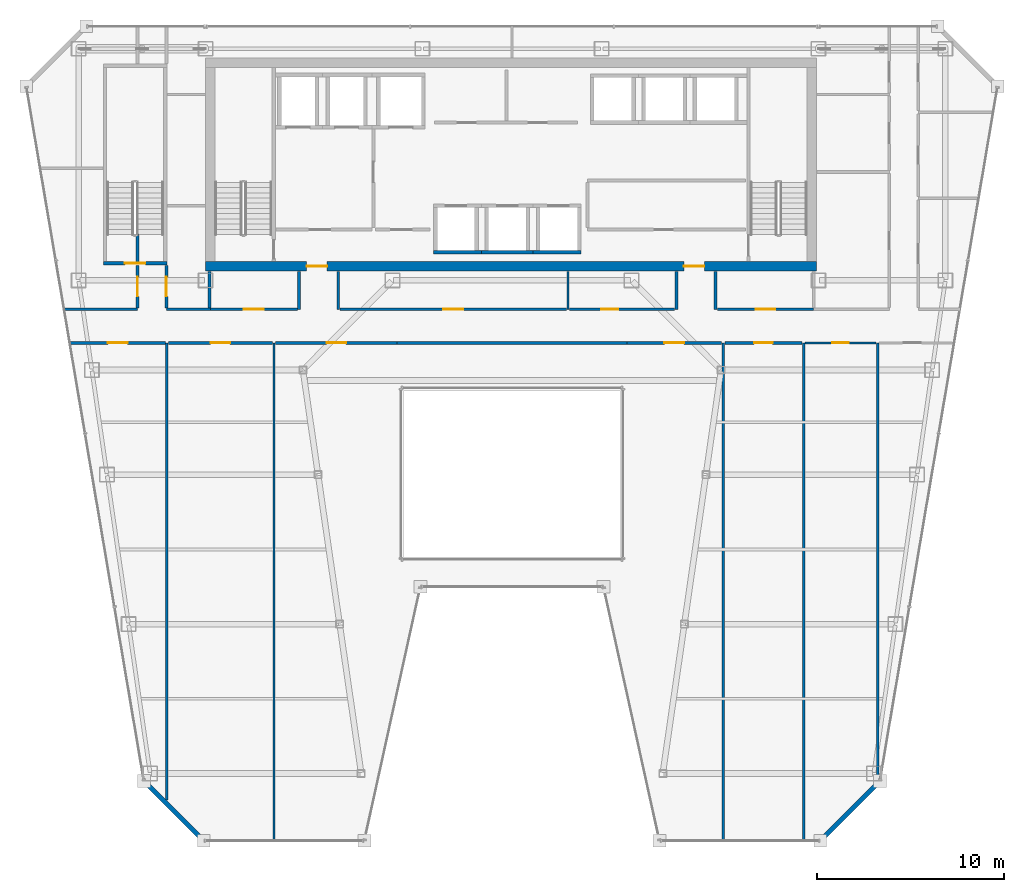
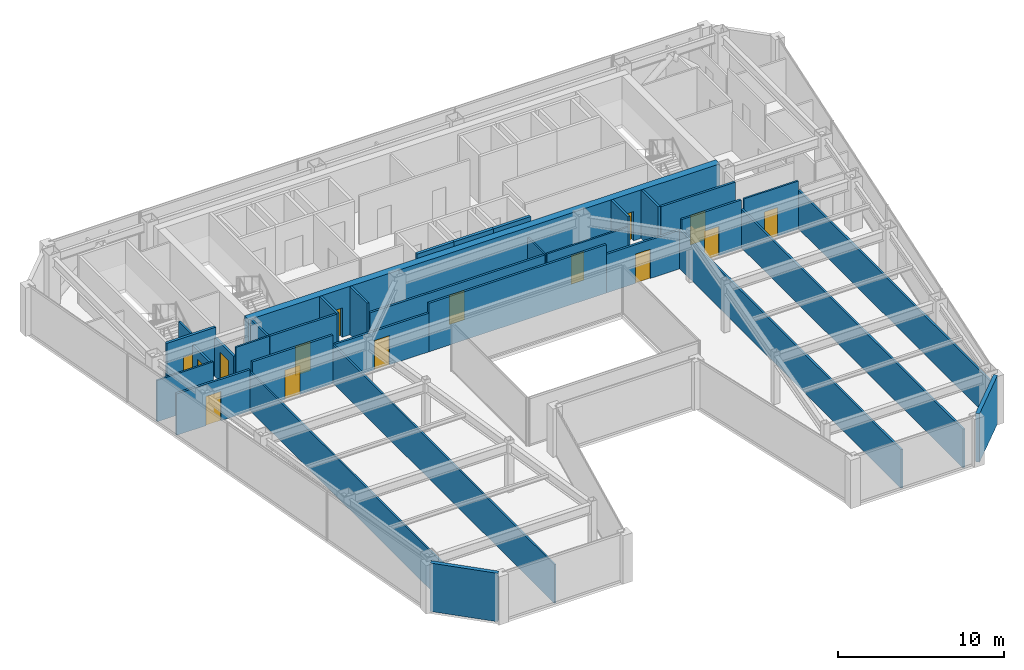
# One storey, part 30 of 36: 34 walls, 15 doors, 15 openings.
"""IFC4 building model written with IfcOpenShell, lengths in metres."""

from ifc_helpers import new_model, si_unit, direction, frame, frame_2d, origin, place, context, subcontext, project, spatial, rectangle, extrude, material, layer, layer_set, type_object, element, fill, save


model = new_model("IFC4")

# Units and contexts
model_context = context("Model", 3, precision=1e-05, world=origin(), true_north=direction((0.0, 1.0)))
body_context = subcontext(model_context, "Body", "Model", "MODEL_VIEW")
ifc_project = project(units=[si_unit("LENGTHUNIT", "METRE"), si_unit("AREAUNIT", "SQUARE_METRE"), si_unit("VOLUMEUNIT", "CUBIC_METRE"), si_unit("PLANEANGLEUNIT", "RADIAN"), si_unit("MASSUNIT", "GRAM", prefix="KILO")], contexts=[model_context])

# Site, building, storey
site_placement = place(None, origin())
site = spatial("IfcSite", under=ifc_project, at=site_placement, CompositionType="ELEMENT")
building_placement = place(site_placement, origin())
building = spatial("IfcBuilding", under=site, at=building_placement, Name="Saevonmaru Cultural Tower", CompositionType="ELEMENT")
storey_placement = place(building_placement, frame((0.0, 0.0, 209.39990234375)))
storey = spatial("IfcBuildingStorey", under=building, at=storey_placement, Name="L48", CompositionType="ELEMENT", Elevation=209.39990234375)

# Wall, openings, doors
ifc_material_1 = material(Name="Concrete C60/75", Category="concrete")
ifc_layer_1 = layer(ifc_material_1, 0.5, Name="Concrete C60/75")
ifc_layer_set_1 = layer_set([ifc_layer_1], Name="Concrete C60/75")
wall_type_1 = type_object("IfcWallType", Name="WL-CORE-500", PredefinedType="SHEAR", material=ifc_layer_set_1)
wall_1_placement = place(storey_placement, frame((13.60009765625, 43.14990234375, 0.0), z_axis=(0.0, 0.0, 1.0), x_axis=(1.0, 0.0, 0.0)))
wall_1 = element("IfcWall", 1, at=wall_1_placement, inside=storey, type_object=wall_type_1, Name="L48 Tower RC core shear wall S", PredefinedType="SHEAR", context=body_context, shape_type="SweptSolid", body=[
    extrude(rectangle(XDim=32.699951171875, YDim=0.5, at=frame_2d((16.35009765625, 0.0))), origin(), (0.0, 0.0, 1.0), 3.550048828125),
])
opening_1_placement = place(wall_1_placement, frame((5.39990234375, 0.0, 0.0)))
opening_1 = element("IfcOpeningElement", 2, at=opening_1_placement, cuts=wall_1, Name="Opening FD-2", PredefinedType="OPENING", context=body_context, shape_type="SweptSolid", body=[
    extrude(rectangle(XDim=1.10009765625, YDim=2.14990234375, at=frame_2d((0.550048828125, 1.074951171875))), frame((0.0, 0.260009765625, 0.0), z_axis=(0.0, -1.0, 0.0), x_axis=(1.0, 0.0, 0.0)), (0.0, 0.0, 1.0), 0.52001953125),
])
opening_2_placement = place(wall_1_placement, frame((25.60009765625, 0.0, 0.0)))
opening_2 = element("IfcOpeningElement", 3, at=opening_2_placement, cuts=wall_1, Name="Opening FD-2", PredefinedType="OPENING", context=body_context, shape_type="SweptSolid", body=[
    extrude(rectangle(XDim=1.10009765625, YDim=2.14990234375, at=frame_2d((0.550048828125, 1.074951171875))), frame((0.0, 0.260009765625, 0.0), z_axis=(0.0, -1.0, 0.0), x_axis=(1.0, 0.0, 0.0)), (0.0, 0.0, 1.0), 0.52001953125),
])
ifc_material_2 = material(Name="Satin Bronze Anodised Aluminium", Category="aluminium")
door_type_1 = type_object("IfcDoorType", Name="DR-FD60-1100", OperationType="SINGLE_SWING_LEFT", PredefinedType="DOOR", material=ifc_material_2)
door_1_placement = place(opening_1_placement, origin())
door_1 = element("IfcDoor", 4, at=door_1_placement, inside=storey, type_object=door_type_1, Name="L48 Core West Lobby Fire Door", OperationType="SINGLE_SWING_LEFT", OverallHeight=2.14990234375, OverallWidth=1.10009765625, PredefinedType="DOOR", context=body_context, shape_type="SweptSolid", body=[
    extrude(rectangle(XDim=1.10009765625, YDim=2.14990234375, at=frame_2d((0.550048828125, 1.074951171875))), frame((0.0, 0.02490234375, 0.0), z_axis=(0.0, -1.0, 0.0), x_axis=(1.0, 0.0, 0.0)), (0.0, 0.0, 1.0), 0.050048828125),
])
fill(opening_1, door_1)
door_2_placement = place(opening_2_placement, origin())
door_2 = element("IfcDoor", 5, at=door_2_placement, inside=storey, type_object=door_type_1, Name="L48 Core East Lobby Fire Door", OperationType="SINGLE_SWING_LEFT", OverallHeight=2.14990234375, OverallWidth=1.10009765625, PredefinedType="DOOR", context=body_context, shape_type="SweptSolid", body=[
    extrude(rectangle(XDim=1.10009765625, YDim=2.14990234375, at=frame_2d((0.550048828125, 1.074951171875))), frame((0.0, 0.02490234375, 0.0), z_axis=(0.0, -1.0, 0.0), x_axis=(1.0, 0.0, 0.0)), (0.0, 0.0, 1.0), 0.050048828125),
])
fill(opening_2, door_2)

# Walls
ifc_material_3 = material(Name="Granite-Clad Precast Concrete C40/50", Category="masonry")
ifc_layer_2 = layer(ifc_material_3, 0.260009765625, Name="Granite-Clad Precast Concrete C40/50")
ifc_layer_set_2 = layer_set([ifc_layer_2], Name="Granite-Clad Precast Concrete C40/50")
wall_type_2 = type_object("IfcWallType", Name="WL-EXT-SPANDREL-260", PredefinedType="STANDARD", material=ifc_layer_set_2)
for number, where, z_axis, x_axis, name in (
    (6, (10.410888671875, 15.48681640625, 0.0), (0.0, 0.0, 1.0), (0.707135806771, -0.70707775441, 0.0), "L48 Chamfer Corner Spandrel Wall E1"),
    (7, (46.615234375, 12.51318359375, 0.0), (0.0, 0.0, 1.0), (0.707135806771, 0.70707775441, 0.0), "L48 Chamfer Corner Spandrel Wall E7"),
):
    element("IfcWall", number, at=place(storey_placement, frame(where, z_axis=z_axis, x_axis=x_axis)), inside=storey, type_object=wall_type_2, Name=name, PredefinedType="STANDARD", context=body_context, shape_type="SweptSolid", body=[
        extrude(rectangle(XDim=4.20556640625, YDim=0.260009765625, at=frame_2d((2.102783203125, 0.0))), origin(), (0.0, 0.0, 1.0), 3.550048828125),
    ])

# Wall, opening, door
ifc_material_4 = material(Name="Gypsum Fireboard Partition", Category="gypsum")
ifc_layer_3 = layer(ifc_material_4, 0.14990234375, Name="Gypsum Fireboard Partition")
ifc_layer_set_3 = layer_set([ifc_layer_3], Name="Gypsum Fireboard Partition")
wall_type_3 = type_object("IfcWallType", Name="WL-PART-FIRE-150", PredefinedType="PARTITIONING", material=ifc_layer_set_3)
wall_2_placement = place(storey_placement, frame((9.949951171875, 40.929931640625, 0.0), z_axis=(0.0, 0.0, 1.0), x_axis=(0.0, 1.0, 0.0)))
wall_2 = element("IfcWall", 8, at=wall_2_placement, inside=storey, type_object=wall_type_3, Name="L48 Permanent Exhibition Gallery Corridor Wall", PredefinedType="PARTITIONING", context=body_context, shape_type="SweptSolid", body=[
    extrude(rectangle(XDim=2.27001953125, YDim=0.14990234375, at=frame_2d((1.135009765625, 0.0))), origin(), (0.0, 0.0, 1.0), 2.835205078125),
])
opening_3_placement = place(wall_2_placement, frame((0.610107421875, 0.0, 0.0)))
opening_3 = element("IfcOpeningElement", 9, at=opening_3_placement, cuts=wall_2, Name="Opening ID-1", PredefinedType="OPENING", context=body_context, shape_type="SweptSolid", body=[
    extrude(rectangle(XDim=1.050048828125, YDim=2.14990234375, at=frame_2d((0.52490234375, 1.074951171875))), frame((0.0, 0.0849609375, 0.0), z_axis=(0.0, -1.0, 0.0), x_axis=(1.0, 0.0, 0.0)), (0.0, 0.0, 1.0), 0.169921875),
])
door_type_2 = type_object("IfcDoorType", Name="DR-INT-1050", OperationType="SINGLE_SWING_LEFT", PredefinedType="DOOR", material=ifc_material_2)
door_3_placement = place(opening_3_placement, origin())
door_3 = element("IfcDoor", 10, at=door_3_placement, inside=storey, type_object=door_type_2, Name="L48 Permanent Exhibition Gallery Door", OperationType="SINGLE_SWING_LEFT", OverallHeight=2.14990234375, OverallWidth=1.050048828125, PredefinedType="DOOR", context=body_context, shape_type="SweptSolid", body=[
    extrude(rectangle(XDim=1.050048828125, YDim=2.14990234375, at=frame_2d((0.52490234375, 1.074951171875))), frame((0.0, 0.02490234375, 0.0), z_axis=(0.0, -1.0, 0.0), x_axis=(1.0, 0.0, 0.0)), (0.0, 0.0, 1.0), 0.050048828125),
])
fill(opening_3, door_3)

# Wall
wall_3_placement = place(storey_placement, frame((9.949951171875, 43.419921875, 0.0), z_axis=(0.0, 0.0, 1.0), x_axis=(0.0, 1.0, 0.0)))
element("IfcWall", 11, at=wall_3_placement, inside=storey, type_object=wall_type_3, Name="L48 Permanent Exhibition Gallery Corridor Wall (2)", PredefinedType="PARTITIONING", context=body_context, shape_type="SweptSolid", body=[
    extrude(rectangle(XDim=1.4501953125, YDim=0.14990234375, at=frame_2d((0.72509765625, 0.0))), origin(), (0.0, 0.0, 1.0), 3.550048828125),
])

# Wall, opening, door
wall_4_placement = place(storey_placement, frame((11.5, 40.929931640625, 0.0), z_axis=(0.0, 0.0, 1.0), x_axis=(0.0, 1.0, 0.0)))
wall_4 = element("IfcWall", 12, at=wall_4_placement, inside=storey, type_object=wall_type_3, Name="L48 Contemporary Photography Gallery Corridor Wall", PredefinedType="PARTITIONING", context=body_context, shape_type="SweptSolid", body=[
    extrude(rectangle(XDim=2.27001953125, YDim=0.14990234375, at=frame_2d((1.135009765625, 0.0))), origin(), (0.0, 0.0, 1.0), 2.835205078125),
])
opening_4_placement = place(wall_4_placement, frame((0.610107421875, 0.0, 0.0)))
opening_4 = element("IfcOpeningElement", 13, at=opening_4_placement, cuts=wall_4, Name="Opening ID-1", PredefinedType="OPENING", context=body_context, shape_type="SweptSolid", body=[
    extrude(rectangle(XDim=1.050048828125, YDim=2.14990234375, at=frame_2d((0.52490234375, 1.074951171875))), frame((0.0, 0.0849609375, 0.0), z_axis=(0.0, -1.0, 0.0), x_axis=(1.0, 0.0, 0.0)), (0.0, 0.0, 1.0), 0.169921875),
])
door_4_placement = place(opening_4_placement, origin())
door_4 = element("IfcDoor", 14, at=door_4_placement, inside=storey, type_object=door_type_2, Name="L48 Contemporary Photography Gallery Door", OperationType="SINGLE_SWING_RIGHT", OverallHeight=2.14990234375, OverallWidth=1.050048828125, PredefinedType="DOOR", context=body_context, shape_type="SweptSolid", body=[
    extrude(rectangle(XDim=1.050048828125, YDim=2.14990234375, at=frame_2d((0.52490234375, 1.074951171875))), frame((0.0, 0.02490234375, 0.0), z_axis=(0.0, -1.0, 0.0), x_axis=(1.0, 0.0, 0.0)), (0.0, 0.0, 1.0), 0.050048828125),
])
fill(opening_4, door_4)

# Walls
wall_5_placement = place(storey_placement, frame((13.800048828125, 40.929931640625, 0.0), z_axis=(0.0, 0.0, 1.0), x_axis=(0.0, 1.0, 0.0)))
element("IfcWall", 15, at=wall_5_placement, inside=storey, type_object=wall_type_3, Name="L48 Core Portal Side Wall W0", PredefinedType="PARTITIONING", context=body_context, shape_type="SweptSolid", body=[
    extrude(rectangle(XDim=1.949951171875, YDim=0.14990234375, at=frame_2d((0.97509765625, 0.0))), origin(), (0.0, 0.0, 1.0), 3.550048828125),
])
for number, where, z_axis, x_axis, name in (
    (16, (18.60009765625, 40.85009765625, 0.0), (0.0, 0.0, 1.0), (0.0, 1.0, 0.0), "L48 Core Portal Side Wall W1"),
    (17, (20.699951171875, 40.85009765625, 0.0), (0.0, 0.0, 1.0), (0.0, 1.0, 0.0), "L48 Core Portal Side Wall W2"),
    (18, (38.800048828125, 40.85009765625, 0.0), (0.0, 0.0, 1.0), (0.0, 1.0, 0.0), "L48 Core Portal Side Wall E1"),
    (19, (40.89990234375, 40.85009765625, 0.0), (0.0, 0.0, 1.0), (0.0, 1.0, 0.0), "L48 Core Portal Side Wall E2"),
):
    element("IfcWall", number, at=place(storey_placement, frame(where, z_axis=z_axis, x_axis=x_axis)), inside=storey, type_object=wall_type_3, Name=name, PredefinedType="PARTITIONING", context=body_context, shape_type="SweptSolid", body=[
        extrude(rectangle(XDim=2.02978515625, YDim=0.14990234375, at=frame_2d((1.014892578125, 0.0))), origin(), (0.0, 0.0, 1.0), 3.550048828125),
    ])

# Wall, opening, door
wall_6_placement = place(storey_placement, frame((13.85009765625, 40.85009765625, 0.0), z_axis=(0.0, 0.0, 1.0), x_axis=(1.0, 0.0, 0.0)))
wall_6 = element("IfcWall", 20, at=wall_6_placement, inside=storey, type_object=wall_type_3, Name="L48 Permanent Exhibition Gallery Corridor Wall", PredefinedType="PARTITIONING", context=body_context, shape_type="SweptSolid", body=[
    extrude(rectangle(XDim=4.65478515625, YDim=0.14990234375, at=frame_2d((2.327392578125, 0.0))), origin(), (0.0, 0.0, 1.0), 3.550048828125),
])
opening_5_placement = place(wall_6_placement, frame((1.802001953125, 0.0, 0.0)))
opening_5 = element("IfcOpeningElement", 21, at=opening_5_placement, cuts=wall_6, Name="Opening ID-1", PredefinedType="OPENING", context=body_context, shape_type="SweptSolid", body=[
    extrude(rectangle(XDim=1.050048828125, YDim=2.14990234375, at=frame_2d((0.52490234375, 1.074951171875))), frame((0.0, 0.0849609375, 0.0), z_axis=(0.0, -1.0, 0.0), x_axis=(1.0, 0.0, 0.0)), (0.0, 0.0, 1.0), 0.169921875),
])
door_5_placement = place(opening_5_placement, origin())
door_5 = element("IfcDoor", 22, at=door_5_placement, inside=storey, type_object=door_type_2, Name="L48 Permanent Exhibition Gallery Door", OperationType="SINGLE_SWING_RIGHT", OverallHeight=2.14990234375, OverallWidth=1.050048828125, PredefinedType="DOOR", context=body_context, shape_type="SweptSolid", body=[
    extrude(rectangle(XDim=1.050048828125, YDim=2.14990234375, at=frame_2d((0.52490234375, 1.074951171875))), frame((0.0, 0.02490234375, 0.0), z_axis=(0.0, -1.0, 0.0), x_axis=(1.0, 0.0, 0.0)), (0.0, 0.0, 1.0), 0.050048828125),
])
fill(opening_5, door_5)

wall_7_placement = place(storey_placement, frame((20.794921875, 40.85009765625, 0.0), z_axis=(0.0, 0.0, 1.0), x_axis=(1.0, 0.0, 0.0)))
wall_7 = element("IfcWall", 23, at=wall_7_placement, inside=storey, type_object=wall_type_3, Name="L48 Permanent Exhibition Gallery Corridor Wall", PredefinedType="PARTITIONING", context=body_context, shape_type="SweptSolid", body=[
    extrude(rectangle(XDim=12.125, YDim=0.14990234375, at=frame_2d((6.0625, 0.0))), origin(), (0.0, 0.0, 1.0), 2.835205078125),
])
opening_6_placement = place(wall_7_placement, frame((5.537109375, 0.0, 0.0)))
opening_6 = element("IfcOpeningElement", 24, at=opening_6_placement, cuts=wall_7, Name="Opening ID-1", PredefinedType="OPENING", context=body_context, shape_type="SweptSolid", body=[
    extrude(rectangle(XDim=1.050048828125, YDim=2.14990234375, at=frame_2d((0.52490234375, 1.074951171875))), frame((0.0, 0.0849609375, 0.0), z_axis=(0.0, -1.0, 0.0), x_axis=(1.0, 0.0, 0.0)), (0.0, 0.0, 1.0), 0.169921875),
])
door_6_placement = place(opening_6_placement, origin())
door_6 = element("IfcDoor", 25, at=door_6_placement, inside=storey, type_object=door_type_2, Name="L48 Permanent Exhibition Gallery Door", OperationType="SINGLE_SWING_LEFT", OverallHeight=2.14990234375, OverallWidth=1.050048828125, PredefinedType="DOOR", context=body_context, shape_type="SweptSolid", body=[
    extrude(rectangle(XDim=1.050048828125, YDim=2.14990234375, at=frame_2d((0.52490234375, 1.074951171875))), frame((0.0, 0.02490234375, 0.0), z_axis=(0.0, -1.0, 0.0), x_axis=(1.0, 0.0, 0.0)), (0.0, 0.0, 1.0), 0.050048828125),
])
fill(opening_6, door_6)

wall_8_placement = place(storey_placement, frame((40.9951171875, 40.85009765625, 0.0), z_axis=(0.0, 0.0, 1.0), x_axis=(1.0, 0.0, 0.0)))
wall_8 = element("IfcWall", 26, at=wall_8_placement, inside=storey, type_object=wall_type_3, Name="L48 Kinetic Art Exhibition Gallery Corridor Wall", PredefinedType="PARTITIONING", context=body_context, shape_type="SweptSolid", body=[
    extrude(rectangle(XDim=5.15478515625, YDim=0.14990234375, at=frame_2d((2.577392578125, 0.0))), origin(), (0.0, 0.0, 1.0), 3.550048828125),
])
opening_7_placement = place(wall_8_placement, frame((2.052978515625, 0.0, 0.0)))
opening_7 = element("IfcOpeningElement", 27, at=opening_7_placement, cuts=wall_8, Name="Opening ID-1", PredefinedType="OPENING", context=body_context, shape_type="SweptSolid", body=[
    extrude(rectangle(XDim=1.050048828125, YDim=2.14990234375, at=frame_2d((0.52490234375, 1.074951171875))), frame((0.0, 0.0849609375, 0.0), z_axis=(0.0, -1.0, 0.0), x_axis=(1.0, 0.0, 0.0)), (0.0, 0.0, 1.0), 0.169921875),
])
door_7_placement = place(opening_7_placement, origin())
door_7 = element("IfcDoor", 28, at=door_7_placement, inside=storey, type_object=door_type_2, Name="L48 Kinetic Art Exhibition Gallery Door", OperationType="SINGLE_SWING_LEFT", OverallHeight=2.14990234375, OverallWidth=1.050048828125, PredefinedType="DOOR", context=body_context, shape_type="SweptSolid", body=[
    extrude(rectangle(XDim=1.050048828125, YDim=2.14990234375, at=frame_2d((0.52490234375, 1.074951171875))), frame((0.0, 0.02490234375, 0.0), z_axis=(0.0, -1.0, 0.0), x_axis=(1.0, 0.0, 0.0)), (0.0, 0.0, 1.0), 0.050048828125),
])
fill(opening_7, door_7)

wall_9_placement = place(storey_placement, frame((6.348388671875, 39.050048828125, 0.0), z_axis=(0.0, 0.0, 1.0), x_axis=(1.0, 0.0, 0.0)))
wall_9 = element("IfcWall", 29, at=wall_9_placement, inside=storey, type_object=wall_type_3, Name="L48 Permanent Exhibition Gallery Corridor Wall", PredefinedType="PARTITIONING", context=body_context, shape_type="SweptSolid", body=[
    extrude(rectangle(XDim=5.091552734375, YDim=0.14990234375, at=frame_2d((2.5458984375, 0.0))), origin(), (0.0, 0.0, 1.0), 3.03515625),
])
opening_8_placement = place(wall_9_placement, frame((2.02099609375, 0.0, 0.0)))
opening_8 = element("IfcOpeningElement", 30, at=opening_8_placement, cuts=wall_9, Name="Opening ID-1", PredefinedType="OPENING", context=body_context, shape_type="SweptSolid", body=[
    extrude(rectangle(XDim=1.050048828125, YDim=2.14990234375, at=frame_2d((0.52490234375, 1.074951171875))), frame((0.0, 0.0849609375, 0.0), z_axis=(0.0, -1.0, 0.0), x_axis=(1.0, 0.0, 0.0)), (0.0, 0.0, 1.0), 0.169921875),
])
door_8_placement = place(opening_8_placement, origin())
door_8 = element("IfcDoor", 31, at=door_8_placement, inside=storey, type_object=door_type_2, Name="L48 Permanent Exhibition Gallery Door", OperationType="SINGLE_SWING_RIGHT", OverallHeight=2.14990234375, OverallWidth=1.050048828125, PredefinedType="DOOR", context=body_context, shape_type="SweptSolid", body=[
    extrude(rectangle(XDim=1.050048828125, YDim=2.14990234375, at=frame_2d((0.52490234375, 1.074951171875))), frame((0.0, 0.02490234375, 0.0), z_axis=(0.0, -1.0, 0.0), x_axis=(1.0, 0.0, 0.0)), (0.0, 0.0, 1.0), 0.050048828125),
])
fill(opening_8, door_8)

wall_10_placement = place(storey_placement, frame((11.60009765625, 39.050048828125, 0.0), z_axis=(0.0, 0.0, 1.0), x_axis=(1.0, 0.0, 0.0)))
wall_10 = element("IfcWall", 32, at=wall_10_placement, inside=storey, type_object=wall_type_3, Name="L48 Contemporary Photography Gallery Corridor Wall", PredefinedType="PARTITIONING", context=body_context, shape_type="SweptSolid", body=[
    extrude(rectangle(XDim=5.579833984375, YDim=0.14990234375, at=frame_2d((2.7900390625, 0.0))), origin(), (0.0, 0.0, 1.0), 3.550048828125),
])
opening_9_placement = place(wall_10_placement, frame((2.264892578125, 0.0, 0.0)))
opening_9 = element("IfcOpeningElement", 33, at=opening_9_placement, cuts=wall_10, Name="Opening ID-1", PredefinedType="OPENING", context=body_context, shape_type="SweptSolid", body=[
    extrude(rectangle(XDim=1.050048828125, YDim=2.14990234375, at=frame_2d((0.52490234375, 1.074951171875))), frame((0.0, 0.0849609375, 0.0), z_axis=(0.0, -1.0, 0.0), x_axis=(1.0, 0.0, 0.0)), (0.0, 0.0, 1.0), 0.169921875),
])
door_9_placement = place(opening_9_placement, origin())
door_9 = element("IfcDoor", 34, at=door_9_placement, inside=storey, type_object=door_type_2, Name="L48 Contemporary Photography Gallery Door", OperationType="SINGLE_SWING_LEFT", OverallHeight=2.14990234375, OverallWidth=1.050048828125, PredefinedType="DOOR", context=body_context, shape_type="SweptSolid", body=[
    extrude(rectangle(XDim=1.050048828125, YDim=2.14990234375, at=frame_2d((0.52490234375, 1.074951171875))), frame((0.0, 0.02490234375, 0.0), z_axis=(0.0, -1.0, 0.0), x_axis=(1.0, 0.0, 0.0)), (0.0, 0.0, 1.0), 0.050048828125),
])
fill(opening_9, door_9)

wall_11_placement = place(storey_placement, frame((17.340087890625, 39.050048828125, 0.0), z_axis=(0.0, 0.0, 1.0), x_axis=(1.0, 0.0, 0.0)))
wall_11 = element("IfcWall", 35, at=wall_11_placement, inside=storey, type_object=wall_type_3, Name="L48 Kinetic Art Exhibition Gallery Corridor Wall", PredefinedType="PARTITIONING", context=body_context, shape_type="SweptSolid", body=[
    extrude(rectangle(XDim=6.510009765625, YDim=0.14990234375, at=frame_2d((3.2548828125, 0.0))), origin(), (0.0, 0.0, 1.0), 2.835205078125),
])
opening_10_placement = place(wall_11_placement, frame((2.72998046875, 0.0, 0.0)))
opening_10 = element("IfcOpeningElement", 36, at=opening_10_placement, cuts=wall_11, Name="Opening ID-1", PredefinedType="OPENING", context=body_context, shape_type="SweptSolid", body=[
    extrude(rectangle(XDim=1.050048828125, YDim=2.14990234375, at=frame_2d((0.52490234375, 1.074951171875))), frame((0.0, 0.0849609375, 0.0), z_axis=(0.0, -1.0, 0.0), x_axis=(1.0, 0.0, 0.0)), (0.0, 0.0, 1.0), 0.169921875),
])
door_10_placement = place(opening_10_placement, origin())
door_10 = element("IfcDoor", 37, at=door_10_placement, inside=storey, type_object=door_type_2, Name="L48 Kinetic Art Exhibition Gallery Door", OperationType="SINGLE_SWING_RIGHT", OverallHeight=2.14990234375, OverallWidth=1.050048828125, PredefinedType="DOOR", context=body_context, shape_type="SweptSolid", body=[
    extrude(rectangle(XDim=1.050048828125, YDim=2.14990234375, at=frame_2d((0.52490234375, 1.074951171875))), frame((0.0, 0.02490234375, 0.0), z_axis=(0.0, -1.0, 0.0), x_axis=(1.0, 0.0, 0.0)), (0.0, 0.0, 1.0), 0.050048828125),
])
fill(opening_10, door_10)

# Wall
wall_12_placement = place(storey_placement, frame((23.85009765625, 39.050048828125, 0.0), z_axis=(0.0, 0.0, 1.0), x_axis=(1.0, 0.0, 0.0)))
element("IfcWall", 38, at=wall_12_placement, inside=storey, type_object=wall_type_3, Name="L48 North Atrium Corridor Wall", PredefinedType="PARTITIONING", context=body_context, shape_type="SweptSolid", body=[
    extrude(rectangle(XDim=12.2998046875, YDim=0.14990234375, at=frame_2d((6.14990234375, 0.0))), origin(), (0.0, 0.0, 1.0), 3.550048828125),
])

# Wall, opening, door
wall_13_placement = place(storey_placement, frame((36.14990234375, 39.050048828125, 0.0), z_axis=(0.0, 0.0, 1.0), x_axis=(1.0, 0.0, 0.0)))
wall_13 = element("IfcWall", 39, at=wall_13_placement, inside=storey, type_object=wall_type_3, Name="L48 Kinetic Art Exhibition Gallery Corridor Wall", PredefinedType="PARTITIONING", context=body_context, shape_type="SweptSolid", body=[
    extrude(rectangle(XDim=5.072509765625, YDim=0.14990234375, at=frame_2d((2.5361328125, 0.0))), origin(), (0.0, 0.0, 1.0), 2.835205078125),
])
opening_11_placement = place(wall_13_placement, frame((2.010986328125, 0.0, 0.0)))
opening_11 = element("IfcOpeningElement", 40, at=opening_11_placement, cuts=wall_13, Name="Opening ID-1", PredefinedType="OPENING", context=body_context, shape_type="SweptSolid", body=[
    extrude(rectangle(XDim=1.050048828125, YDim=2.14990234375, at=frame_2d((0.52490234375, 1.074951171875))), frame((0.0, 0.0849609375, 0.0), z_axis=(0.0, -1.0, 0.0), x_axis=(1.0, 0.0, 0.0)), (0.0, 0.0, 1.0), 0.169921875),
])
door_11_placement = place(opening_11_placement, origin())
door_11 = element("IfcDoor", 41, at=door_11_placement, inside=storey, type_object=door_type_2, Name="L48 Kinetic Art Exhibition Gallery Door", OperationType="SINGLE_SWING_LEFT", OverallHeight=2.14990234375, OverallWidth=1.050048828125, PredefinedType="DOOR", context=body_context, shape_type="SweptSolid", body=[
    extrude(rectangle(XDim=1.050048828125, YDim=2.14990234375, at=frame_2d((0.52490234375, 1.074951171875))), frame((0.0, 0.02490234375, 0.0), z_axis=(0.0, -1.0, 0.0), x_axis=(1.0, 0.0, 0.0)), (0.0, 0.0, 1.0), 0.050048828125),
])
fill(opening_11, door_11)

wall_14_placement = place(storey_placement, frame((41.3974609375, 39.050048828125, 0.0), z_axis=(0.0, 0.0, 1.0), x_axis=(1.0, 0.0, 0.0)))
wall_14 = element("IfcWall", 42, at=wall_14_placement, inside=storey, type_object=wall_type_3, Name="L48 Chamber Rehearsal Auditorium Corridor Wall", PredefinedType="PARTITIONING", context=body_context, shape_type="SweptSolid", body=[
    extrude(rectangle(XDim=4.125, YDim=0.14990234375, at=frame_2d((2.0625, 0.0))), origin(), (0.0, 0.0, 1.0), 3.550048828125),
])
opening_12_placement = place(wall_14_placement, frame((1.56201171875, 0.0, 0.0)))
opening_12 = element("IfcOpeningElement", 43, at=opening_12_placement, cuts=wall_14, Name="Opening ID-1B", PredefinedType="OPENING", context=body_context, shape_type="SweptSolid", body=[
    extrude(rectangle(XDim=1.0, YDim=2.14990234375, at=frame_2d((0.5, 1.074951171875))), frame((0.0, 0.0849609375, 0.0), z_axis=(0.0, -1.0, 0.0), x_axis=(1.0, 0.0, 0.0)), (0.0, 0.0, 1.0), 0.169921875),
])
ifc_material_5 = material(Name="Acoustic Stained Oak Timber", Category="wood")
door_type_3 = type_object("IfcDoorType", Name="DR-INT-1000", OperationType="SINGLE_SWING_RIGHT", PredefinedType="DOOR", material=ifc_material_5)
door_12_placement = place(opening_12_placement, origin())
door_12 = element("IfcDoor", 44, at=door_12_placement, inside=storey, type_object=door_type_3, Name="L48 Chamber Rehearsal Auditorium Door", OperationType="SINGLE_SWING_RIGHT", OverallHeight=2.14990234375, OverallWidth=1.0, PredefinedType="DOOR", context=body_context, shape_type="SweptSolid", body=[
    extrude(rectangle(XDim=1.0, YDim=2.14990234375, at=frame_2d((0.5, 1.074951171875))), frame((0.0, 0.02490234375, 0.0), z_axis=(0.0, -1.0, 0.0), x_axis=(1.0, 0.0, 0.0)), (0.0, 0.0, 1.0), 0.050048828125),
])
fill(opening_12, door_12)

# Walls
ifc_layer_4 = layer(ifc_material_4, 0.1201171875, Name="Gypsum Fireboard Partition")
ifc_layer_set_4 = layer_set([ifc_layer_4], Name="Gypsum Fireboard Partition")
wall_type_4 = type_object("IfcWallType", Name="WL-PART-GYP-120", PredefinedType="PARTITIONING", material=ifc_layer_set_4)
wall_15_placement = place(storey_placement, frame((6.0283203125, 40.85009765625, 0.0), z_axis=(0.0, 0.0, 1.0), x_axis=(1.0, 0.0, 0.0)))
element("IfcWall", 45, at=wall_15_placement, inside=storey, type_object=wall_type_4, Name="L48 NW Wing South Wall", PredefinedType="PARTITIONING", context=body_context, shape_type="SweptSolid", body=[
    extrude(rectangle(XDim=3.921630859375, YDim=0.1201171875, at=frame_2d((1.9609375, 0.0))), origin(), (0.0, 0.0, 1.0), 3.03515625),
])
wall_16_placement = place(storey_placement, frame((11.5, 40.85009765625, 0.0), z_axis=(0.0, 0.0, 1.0), x_axis=(1.0, 0.0, 0.0)))
element("IfcWall", 46, at=wall_16_placement, inside=storey, type_object=wall_type_4, Name="L48 NW Inner South Wall", PredefinedType="PARTITIONING", context=body_context, shape_type="SweptSolid", body=[
    extrude(rectangle(XDim=2.35009765625, YDim=0.1201171875, at=frame_2d((1.175048828125, 0.0))), origin(), (0.0, 0.0, 1.0), 3.550048828125),
])
wall_17_placement = place(storey_placement, frame((33.0, 40.85009765625, 0.0), z_axis=(0.0, 0.0, 1.0), x_axis=(0.0, 1.0, 0.0)))
element("IfcWall", 47, at=wall_17_placement, inside=storey, type_object=wall_type_4, Name="L48 Spine Alcove Split", PredefinedType="PARTITIONING", context=body_context, shape_type="SweptSolid", body=[
    extrude(rectangle(XDim=2.02978515625, YDim=0.1201171875, at=frame_2d((1.014892578125, 0.0))), origin(), (0.0, 0.0, 1.0), 2.835205078125),
])

# Wall, opening, door
wall_18_placement = place(storey_placement, frame((33.080078125, 40.85009765625, 0.0), z_axis=(0.0, 0.0, 1.0), x_axis=(1.0, 0.0, 0.0)))
wall_18 = element("IfcWall", 48, at=wall_18_placement, inside=storey, type_object=wall_type_4, Name="L48 Urban Design Meeting Room Corridor Wall", PredefinedType="PARTITIONING", context=body_context, shape_type="SweptSolid", body=[
    extrude(rectangle(XDim=5.625, YDim=0.1201171875, at=frame_2d((2.8125, 0.0))), origin(), (0.0, 0.0, 1.0), 2.835205078125),
])
opening_13_placement = place(wall_18_placement, frame((1.701904296875, 0.0, 0.0)))
opening_13 = element("IfcOpeningElement", 49, at=opening_13_placement, cuts=wall_18, Name="Opening ID-2", PredefinedType="OPENING", context=body_context, shape_type="SweptSolid", body=[
    extrude(rectangle(XDim=0.89990234375, YDim=2.10009765625, at=frame_2d((0.449951171875, 1.050048828125))), frame((0.0, 0.070068359375, 0.0), z_axis=(0.0, -1.0, 0.0), x_axis=(1.0, 0.0, 0.0)), (0.0, 0.0, 1.0), 0.14013671875),
])
door_type_4 = type_object("IfcDoorType", Name="DR-INT-900", OperationType="SINGLE_SWING_RIGHT", PredefinedType="DOOR", material=ifc_material_5)
door_13_placement = place(opening_13_placement, origin())
door_13 = element("IfcDoor", 50, at=door_13_placement, inside=storey, type_object=door_type_4, Name="L48 Urban Design Meeting Room Door", OperationType="SINGLE_SWING_RIGHT", OverallHeight=2.10009765625, OverallWidth=0.89990234375, PredefinedType="DOOR", context=body_context, shape_type="SweptSolid", body=[
    extrude(rectangle(XDim=0.89990234375, YDim=2.10009765625, at=frame_2d((0.449951171875, 1.050048828125))), frame((0.0, 0.02490234375, 0.0), z_axis=(0.0, -1.0, 0.0), x_axis=(1.0, 0.0, 0.0)), (0.0, 0.0, 1.0), 0.050048828125),
])
fill(opening_13, door_13)

# Walls
wall_19_placement = place(storey_placement, frame((11.52001953125, 14.58984375, 0.0), z_axis=(0.0, 0.0, 1.0), x_axis=(0.0, 1.0, 0.0)))
element("IfcWall", 51, at=wall_19_placement, inside=storey, type_object=wall_type_4, Name="L48 West Bay Divider 1", PredefinedType="PARTITIONING", context=body_context, shape_type="SweptSolid", body=[
    extrude(rectangle(XDim=24.460205078125, YDim=0.1201171875, at=frame_2d((12.22998046875, 0.0))), origin(), (0.0, 0.0, 1.0), 2.835205078125),
])
wall_20_placement = place(storey_placement, frame((17.260009765625, 12.405029296875, 0.0), z_axis=(0.0, 0.0, 1.0), x_axis=(0.0, 1.0, 0.0)))
element("IfcWall", 52, at=wall_20_placement, inside=storey, type_object=wall_type_4, Name="L48 West Bay Divider 2", PredefinedType="PARTITIONING", context=body_context, shape_type="SweptSolid", body=[
    extrude(rectangle(XDim=26.64501953125, YDim=0.1201171875, at=frame_2d((13.322509765625, 0.0))), origin(), (0.0, 0.0, 1.0), 2.835205078125),
])

# Wall, opening, door
wall_21_placement = place(storey_placement, frame((45.697509765625, 39.050048828125, 0.0), z_axis=(0.0, 0.0, 1.0), x_axis=(1.0, 0.0, 0.0)))
wall_21 = element("IfcWall", 53, at=wall_21_placement, inside=storey, type_object=wall_type_4, Name="L48 Urban Design Meeting Room Corridor Wall", PredefinedType="PARTITIONING", context=body_context, shape_type="SweptSolid", body=[
    extrude(rectangle(XDim=3.784912109375, YDim=0.1201171875, at=frame_2d((1.892578125, 0.0))), origin(), (0.0, 0.0, 1.0), 3.550048828125),
])
opening_14_placement = place(wall_21_placement, frame((1.443115234375, 0.0, 0.0)))
opening_14 = element("IfcOpeningElement", 54, at=opening_14_placement, cuts=wall_21, Name="Opening ID-2", PredefinedType="OPENING", context=body_context, shape_type="SweptSolid", body=[
    extrude(rectangle(XDim=0.89990234375, YDim=2.10009765625, at=frame_2d((0.449951171875, 1.050048828125))), frame((0.0, 0.070068359375, 0.0), z_axis=(0.0, -1.0, 0.0), x_axis=(1.0, 0.0, 0.0)), (0.0, 0.0, 1.0), 0.14013671875),
])
door_14_placement = place(opening_14_placement, origin())
door_14 = element("IfcDoor", 55, at=door_14_placement, inside=storey, type_object=door_type_4, Name="L48 Urban Design Meeting Room Door", OperationType="SINGLE_SWING_LEFT", OverallHeight=2.10009765625, OverallWidth=0.89990234375, PredefinedType="DOOR", context=body_context, shape_type="SweptSolid", body=[
    extrude(rectangle(XDim=0.89990234375, YDim=2.10009765625, at=frame_2d((0.449951171875, 1.050048828125))), frame((0.0, 0.02490234375, 0.0), z_axis=(0.0, -1.0, 0.0), x_axis=(1.0, 0.0, 0.0)), (0.0, 0.0, 1.0), 0.050048828125),
])
fill(opening_14, door_14)

# Walls
ifc_layer_5 = layer(ifc_material_4, 0.135009765625, Name="Gypsum Fireboard Partition")
ifc_layer_set_5 = layer_set([ifc_layer_5], Name="Gypsum Fireboard Partition")
wall_type_5 = type_object("IfcWallType", Name="WL-PART-GYP-135", PredefinedType="PARTITIONING", material=ifc_layer_set_5)
for number, where, z_axis, x_axis, name in (
    (56, (41.31005859375, 12.405029296875, 0.0), (0.0, 0.0, 1.0), (0.0, 1.0, 0.0), "L48 East Bay Divider 1"),
    (57, (45.610107421875, 12.405029296875, 0.0), (0.0, 0.0, 1.0), (0.0, 1.0, 0.0), "L48 East Bay Divider 2"),
):
    element("IfcWall", number, at=place(storey_placement, frame(where, z_axis=z_axis, x_axis=x_axis)), inside=storey, type_object=wall_type_5, Name=name, PredefinedType="PARTITIONING", context=body_context, shape_type="SweptSolid", body=[
        extrude(rectangle(XDim=26.64501953125, YDim=0.135009765625, at=frame_2d((13.322509765625, 0.0))), origin(), (0.0, 0.0, 1.0), 2.835205078125),
    ])
wall_22_placement = place(storey_placement, frame((49.570068359375, 15.506103515625, 0.0), z_axis=(0.0, 0.0, 1.0), x_axis=(0.0, 1.0, 0.0)))
element("IfcWall", 58, at=wall_22_placement, inside=storey, type_object=wall_type_5, Name="L48 East Bay Divider 3", PredefinedType="PARTITIONING", context=body_context, shape_type="SweptSolid", body=[
    extrude(rectangle(XDim=23.5439453125, YDim=0.135009765625, at=frame_2d((11.77197265625, 0.0))), origin(), (0.0, 0.0, 1.0), 2.835205078125),
])
ifc_material_6 = material(Name="Concrete C40/50", Category="concrete")
ifc_layer_6 = layer(ifc_material_6, 0.199951171875, Name="Concrete C40/50")
ifc_layer_set_6 = layer_set([ifc_layer_6], Name="Concrete C40/50")
wall_type_6 = type_object("IfcWallType", Name="WL-SHAFT-200", PredefinedType="SHEAR", material=ifc_layer_set_6)
wall_23_placement = place(storey_placement, frame((25.800048828125, 43.89990234375, 0.0), z_axis=(0.0, 0.0, 1.0), x_axis=(1.0, 0.0, 0.0)))
element("IfcWall", 59, at=wall_23_placement, inside=storey, type_object=wall_type_6, Name="L48 Lift PL-M1 Hoistway Wall S", PredefinedType="SHEAR", context=body_context, shape_type="SweptSolid", body=[
    extrude(rectangle(XDim=2.574951171875, YDim=0.199951171875, at=frame_2d((1.28759765625, 0.0))), origin(), (0.0, 0.0, 1.0), 3.550048828125),
])
wall_24_placement = place(storey_placement, frame((28.375, 43.89990234375, 0.0), z_axis=(0.0, 0.0, 1.0), x_axis=(1.0, 0.0, 0.0)))
element("IfcWall", 60, at=wall_24_placement, inside=storey, type_object=wall_type_6, Name="L48 Lift PL-M2 Hoistway Wall S", PredefinedType="SHEAR", context=body_context, shape_type="SweptSolid", body=[
    extrude(rectangle(XDim=2.75, YDim=0.199951171875, at=frame_2d((1.375, 0.0))), origin(), (0.0, 0.0, 1.0), 3.550048828125),
])
wall_25_placement = place(storey_placement, frame((31.125, 43.89990234375, 0.0), z_axis=(0.0, 0.0, 1.0), x_axis=(1.0, 0.0, 0.0)))
element("IfcWall", 61, at=wall_25_placement, inside=storey, type_object=wall_type_6, Name="L48 Lift PL-M3 Hoistway Wall S", PredefinedType="SHEAR", context=body_context, shape_type="SweptSolid", body=[
    extrude(rectangle(XDim=2.574951171875, YDim=0.199951171875, at=frame_2d((1.28759765625, 0.0))), origin(), (0.0, 0.0, 1.0), 3.550048828125),
])

# Wall, opening, door
ifc_layer_7 = layer(ifc_material_6, 0.179931640625, Name="Concrete C40/50")
ifc_layer_set_7 = layer_set([ifc_layer_7], Name="Concrete C40/50")
wall_type_7 = type_object("IfcWallType", Name="WL-STSHAFT-180", PredefinedType="SHEAR", material=ifc_layer_set_7)
wall_26_placement = place(storey_placement, frame((8.1201171875, 43.31005859375, 0.0), z_axis=(0.0, 0.0, 1.0), x_axis=(1.0, 0.0, 0.0)))
wall_26 = element("IfcWall", 62, at=wall_26_placement, inside=storey, type_object=wall_type_7, Name="L48 Stair ST-3 Structural Shaft Wall 1", PredefinedType="SHEAR", context=body_context, shape_type="SweptSolid", body=[
    extrude(rectangle(XDim=3.409912109375, YDim=0.179931640625, at=frame_2d((1.705078125, 0.0))), origin(), (0.0, 0.0, 1.0), 3.550048828125),
])
opening_15_placement = place(wall_26_placement, frame((1.14990234375, 0.0, 0.0)))
opening_15 = element("IfcOpeningElement", 63, at=opening_15_placement, cuts=wall_26, Name="Opening FD-2", PredefinedType="OPENING", context=body_context, shape_type="SweptSolid", body=[
    extrude(rectangle(XDim=1.10009765625, YDim=2.14990234375, at=frame_2d((0.550048828125, 1.074951171875))), frame((0.0, 0.10009765625, 0.0), z_axis=(0.0, -1.0, 0.0), x_axis=(1.0, 0.0, 0.0)), (0.0, 0.0, 1.0), 0.199951171875),
])
door_15_placement = place(opening_15_placement, origin())
door_15 = element("IfcDoor", 64, at=door_15_placement, inside=storey, type_object=door_type_1, Name="L48 Protected Stair ST-3 Fire Door", OperationType="SINGLE_SWING_LEFT", OverallHeight=2.14990234375, OverallWidth=1.10009765625, PredefinedType="DOOR", context=body_context, shape_type="SweptSolid", body=[
    extrude(rectangle(XDim=1.10009765625, YDim=2.14990234375, at=frame_2d((0.550048828125, 1.074951171875))), frame((0.0, 0.02490234375, 0.0), z_axis=(0.0, -1.0, 0.0), x_axis=(1.0, 0.0, 0.0)), (0.0, 0.0, 1.0), 0.050048828125),
])
fill(opening_15, door_15)

save(model, "model.ifc")
